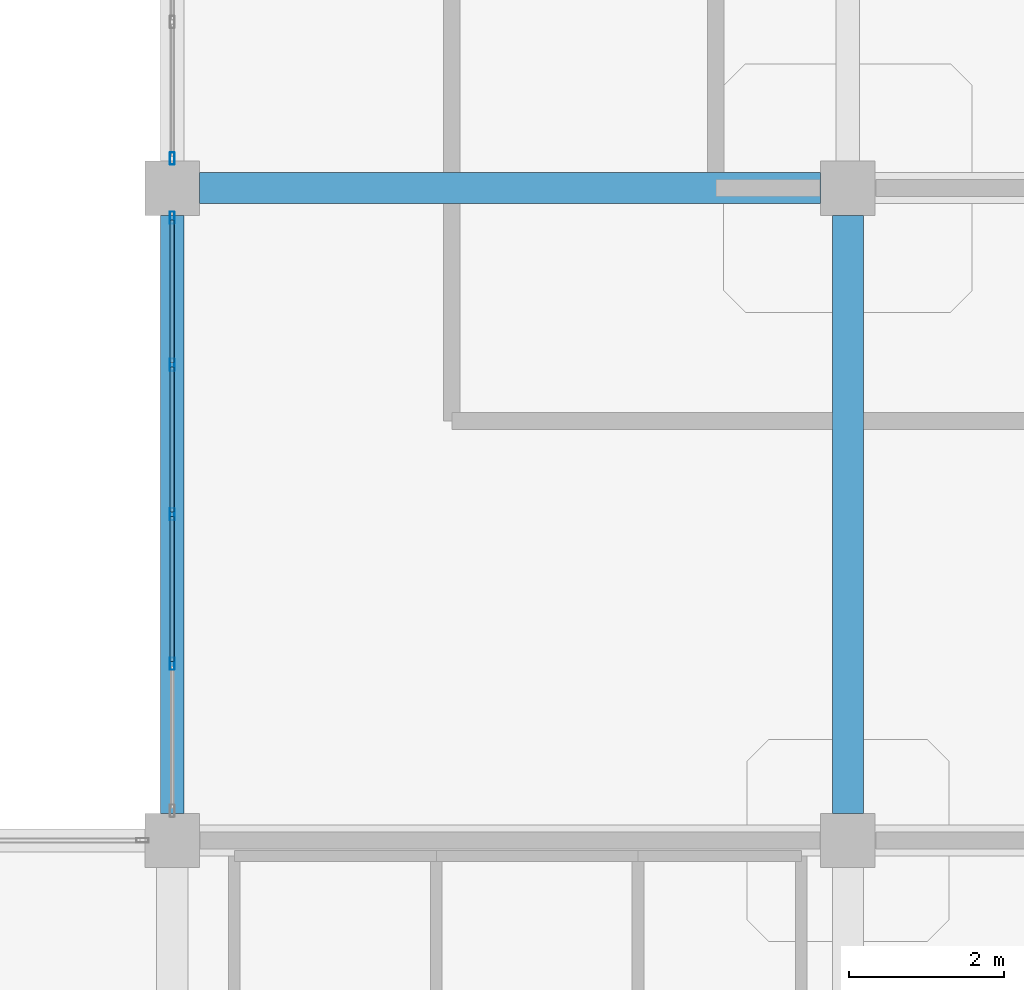
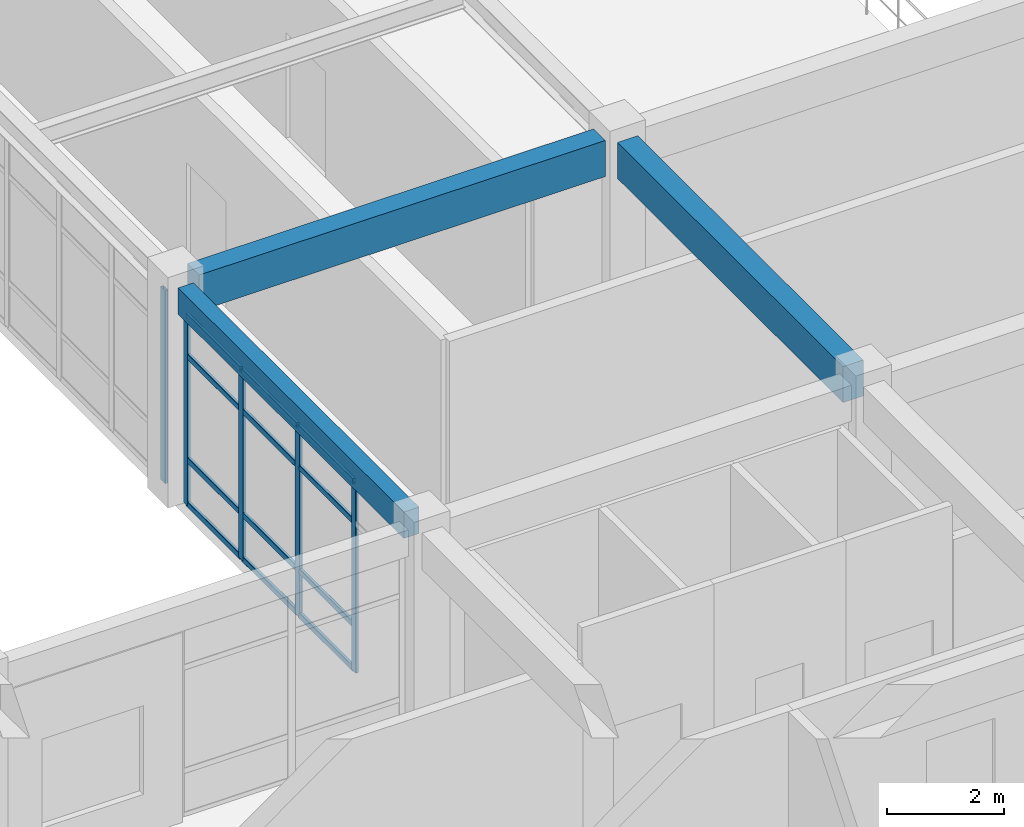
# One storey, part 13 of 76: 17 members, 3 beams, 2 elements without a shape of their own.
"""IFC4 building model written with IfcOpenShell, lengths in metres."""

from ifc_helpers import new_model, si_unit, derived_unit, direction, frame, origin, origin_2d, place, context, subcontext, project, spatial, rectangle, hollow_rectangle, extrude, material, layer, layer_set, material_profile, profile_set, type_object, element, aggregate, save


model = new_model("IFC4")

# Units and contexts
model_context = context("Model", 3, precision=1e-05, world=origin(), true_north=direction((0.0, 1.0)))
body_context = subcontext(model_context, "Body", "Model", "MODEL_VIEW")
ifc_project = project(units=[si_unit("LENGTHUNIT", "METRE"), si_unit("AREAUNIT", "SQUARE_METRE"), si_unit("VOLUMEUNIT", "CUBIC_METRE"), si_unit("PLANEANGLEUNIT", "RADIAN"), si_unit("MASSUNIT", "GRAM", prefix="KILO"), derived_unit("THERMALTRANSMITTANCEUNIT", [(si_unit("MASSUNIT", "GRAM", prefix="KILO"), 1), (si_unit("TIMEUNIT", "SECOND"), -3), (si_unit("THERMODYNAMICTEMPERATUREUNIT", "KELVIN"), -1)])], contexts=[model_context])

# Site, building, storey
site_placement = place(None, origin())
site = spatial("IfcSite", under=ifc_project, at=site_placement, CompositionType="ELEMENT")
building_placement = place(site_placement, origin())
building = spatial("IfcBuilding", under=site, at=building_placement, Name="Qinzheling Arcade Emporium", CompositionType="ELEMENT")
storey_placement = place(building_placement, frame((0.0, 0.0, 26.699951171875)))
storey = spatial("IfcBuildingStorey", under=building, at=storey_placement, Name="L06", CompositionType="ELEMENT", Elevation=26.699951171875)

# Curtain wall, members
ifc_material_1 = material(Name="Anodised aluminium and solar-control double glazing", Category="aluminium")
ifc_layer = layer(ifc_material_1, 0.159912109375, Name="Anodised aluminium and solar-control double glazing", Category="aluminium")
ifc_layer_set = layer_set([ifc_layer], Name="Anodised aluminium and solar-control double glazing")
curtain_wall_type = type_object("IfcCurtainWallType", Name="Atrium Clerestory Curtain Wall", PredefinedType="NOTDEFINED", material=ifc_layer_set)
curtain_wall_1_placement = place(storey_placement, origin())
curtain_wall_1 = element("IfcCurtainWall", 1, at=curtain_wall_1_placement, inside=storey, type_object=curtain_wall_type, Name="Curtain Wall CW-L06-363", PredefinedType="NOTDEFINED")
ifc_material_2 = material(Name="Anodised aluminium 6063-T6", Category="aluminium")
ifc_material_profile_1 = material_profile(ifc_material_2, hollow_rectangle(XDim=0.06005859375, YDim=0.159912109375, WallThickness=0.00390625, InnerFilletRadius=0.00390625, OuterFilletRadius=0.008056640625, at=origin_2d()), Name="RHS 160x60x4", Category="aluminium")
ifc_profile_set_1 = profile_set([ifc_material_profile_1], Name="Anodised aluminium 6063-T6")
member_type_1 = type_object("IfcMemberType", Name="Curtain Wall Mullion RHS160x60", PredefinedType="MULLION", material=ifc_profile_set_1)
member_1_placement = place(storey_placement, frame((34.800048828125, 44.27587890625, 0.0), z_axis=(0.0, 0.0, 1.0), x_axis=(-1.0, 0.0, 0.0)))
member_1 = element("IfcMember", 2, at=member_1_placement, type_object=member_type_1, Name="CW03 mullion 2", PredefinedType="MULLION", context=body_context, shape_type="SweptSolid", body=[
    extrude(hollow_rectangle(XDim=0.06005859375, YDim=0.159912109375, WallThickness=0.00390625, InnerFilletRadius=0.00390625, OuterFilletRadius=0.008056640625, at=origin_2d()), origin(), (0.0, 0.0, 1.0), 3.955078125),
])
member_2_placement = place(storey_placement, frame((34.800048828125, 46.199951171875, 0.0), z_axis=(0.0, 0.0, 1.0), x_axis=(-1.0, 0.0, 0.0)))
member_2 = element("IfcMember", 3, at=member_2_placement, type_object=member_type_1, Name="CW03 mullion 3", PredefinedType="MULLION", context=body_context, shape_type="SweptSolid", body=[
    extrude(hollow_rectangle(XDim=0.06005859375, YDim=0.159912109375, WallThickness=0.00390625, InnerFilletRadius=0.00390625, OuterFilletRadius=0.008056640625, at=origin_2d()), origin(), (0.0, 0.0, 1.0), 3.955078125),
])
member_3_placement = place(storey_placement, frame((34.800048828125, 48.1240234375, 0.0), z_axis=(0.0, 0.0, 1.0), x_axis=(-1.0, 0.0, 0.0)))
member_3 = element("IfcMember", 4, at=member_3_placement, type_object=member_type_1, Name="CW03 mullion 4", PredefinedType="MULLION", context=body_context, shape_type="SweptSolid", body=[
    extrude(hollow_rectangle(XDim=0.06005859375, YDim=0.159912109375, WallThickness=0.00390625, InnerFilletRadius=0.00390625, OuterFilletRadius=0.008056640625, at=origin_2d()), origin(), (0.0, 0.0, 1.0), 3.955078125),
])
member_4_placement = place(storey_placement, frame((34.800048828125, 50.01806640625, 0.0), z_axis=(0.0, 0.0, 1.0), x_axis=(-1.0, 0.0, 0.0)))
member_4 = element("IfcMember", 5, at=member_4_placement, type_object=member_type_1, Name="CW03 mullion 5", PredefinedType="MULLION", context=body_context, shape_type="SweptSolid", body=[
    extrude(hollow_rectangle(XDim=0.06005859375, YDim=0.159912109375, WallThickness=0.00390625, InnerFilletRadius=0.00390625, OuterFilletRadius=0.008056640625, at=origin_2d()), origin(), (0.0, 0.0, 1.0), 3.955078125),
])

# Curtain wall, member
curtain_wall_2_placement = place(storey_placement, origin())
curtain_wall_2 = element("IfcCurtainWall", 6, at=curtain_wall_2_placement, inside=storey, type_object=curtain_wall_type, Name="Curtain Wall CW-L06-364", PredefinedType="NOTDEFINED")
member_5_placement = place(storey_placement, frame((34.800048828125, 50.781982421875, 0.0), z_axis=(0.0, 0.0, 1.0), x_axis=(-1.0, 0.0, 0.0)))
member_5 = element("IfcMember", 7, at=member_5_placement, type_object=member_type_1, Name="CW03 mullion 1", PredefinedType="MULLION", context=body_context, shape_type="SweptSolid", body=[
    extrude(hollow_rectangle(XDim=0.06005859375, YDim=0.159912109375, WallThickness=0.00390625, InnerFilletRadius=0.00390625, OuterFilletRadius=0.008056640625, at=origin_2d()), origin(), (0.0, 0.0, 1.0), 4.01708984375),
])
aggregate(curtain_wall_2, [member_5])

# Member
ifc_material_profile_2 = material_profile(ifc_material_2, hollow_rectangle(XDim=0.06005859375, YDim=0.1201171875, WallThickness=0.00390625, InnerFilletRadius=0.00390625, OuterFilletRadius=0.008056640625, at=origin_2d()), Name="RHS 120x60x4", Category="aluminium")
ifc_profile_set_2 = profile_set([ifc_material_profile_2], Name="Anodised aluminium 6063-T6")
member_type_2 = type_object("IfcMemberType", Name="Curtain Wall Transom RHS120x60", PredefinedType="USERDEFINED", material=ifc_profile_set_2)
member_6_placement = place(storey_placement, frame((34.800048828125, 44.305908203125, 0.030029296875), z_axis=(0.0, 1.0, 0.0), x_axis=(-1.0, 0.0, 0.0)))
member_6 = element("IfcMember", 8, at=member_6_placement, type_object=member_type_2, Name="CW03 transom 2.1", ObjectType="TRANSOM", PredefinedType="USERDEFINED", context=body_context, shape_type="SweptSolid", body=[
    extrude(hollow_rectangle(XDim=0.06005859375, YDim=0.1201171875, WallThickness=0.00390625, InnerFilletRadius=0.00390625, OuterFilletRadius=0.008056640625, at=origin_2d()), origin(), (0.0, 0.0, 1.0), 1.864013671875),
])

member_7_placement = place(storey_placement, frame((34.800048828125, 44.305908203125, 0.949951171875), z_axis=(0.0, 1.0, 0.0), x_axis=(-1.0, 0.0, 0.0)))
member_7 = element("IfcMember", 9, at=member_7_placement, type_object=member_type_2, Name="CW03 transom 2.2", ObjectType="TRANSOM", PredefinedType="USERDEFINED", context=body_context, shape_type="SweptSolid", body=[
    extrude(hollow_rectangle(XDim=0.06005859375, YDim=0.1201171875, WallThickness=0.00390625, InnerFilletRadius=0.00390625, OuterFilletRadius=0.008056640625, at=origin_2d()), origin(), (0.0, 0.0, 1.0), 1.864013671875),
])

member_8_placement = place(storey_placement, frame((34.800048828125, 44.305908203125, 3.10498046875), z_axis=(0.0, 1.0, 0.0), x_axis=(-1.0, 0.0, 0.0)))
member_8 = element("IfcMember", 10, at=member_8_placement, type_object=member_type_2, Name="CW03 transom 2.3", ObjectType="TRANSOM", PredefinedType="USERDEFINED", context=body_context, shape_type="SweptSolid", body=[
    extrude(hollow_rectangle(XDim=0.06005859375, YDim=0.1201171875, WallThickness=0.00390625, InnerFilletRadius=0.00390625, OuterFilletRadius=0.008056640625, at=origin_2d()), origin(), (0.0, 0.0, 1.0), 1.864013671875),
])

member_9_placement = place(storey_placement, frame((34.800048828125, 44.305908203125, 3.925048828125), z_axis=(0.0, 1.0, 0.0), x_axis=(-1.0, 0.0, 0.0)))
member_9 = element("IfcMember", 11, at=member_9_placement, type_object=member_type_2, Name="CW03 transom 2.4", ObjectType="TRANSOM", PredefinedType="USERDEFINED", context=body_context, shape_type="SweptSolid", body=[
    extrude(hollow_rectangle(XDim=0.06005859375, YDim=0.1201171875, WallThickness=0.00390625, InnerFilletRadius=0.00390625, OuterFilletRadius=0.008056640625, at=origin_2d()), origin(), (0.0, 0.0, 1.0), 1.864013671875),
])

member_10_placement = place(storey_placement, frame((34.800048828125, 46.22998046875, 0.030029296875), z_axis=(0.0, 1.0, 0.0), x_axis=(-1.0, 0.0, 0.0)))
member_10 = element("IfcMember", 12, at=member_10_placement, type_object=member_type_2, Name="CW03 transom 3.1", ObjectType="TRANSOM", PredefinedType="USERDEFINED", context=body_context, shape_type="SweptSolid", body=[
    extrude(hollow_rectangle(XDim=0.06005859375, YDim=0.1201171875, WallThickness=0.00390625, InnerFilletRadius=0.00390625, OuterFilletRadius=0.008056640625, at=origin_2d()), origin(), (0.0, 0.0, 1.0), 1.864013671875),
])

member_11_placement = place(storey_placement, frame((34.800048828125, 46.22998046875, 0.949951171875), z_axis=(0.0, 1.0, 0.0), x_axis=(-1.0, 0.0, 0.0)))
member_11 = element("IfcMember", 13, at=member_11_placement, type_object=member_type_2, Name="CW03 transom 3.2", ObjectType="TRANSOM", PredefinedType="USERDEFINED", context=body_context, shape_type="SweptSolid", body=[
    extrude(hollow_rectangle(XDim=0.06005859375, YDim=0.1201171875, WallThickness=0.00390625, InnerFilletRadius=0.00390625, OuterFilletRadius=0.008056640625, at=origin_2d()), origin(), (0.0, 0.0, 1.0), 1.864013671875),
])

member_12_placement = place(storey_placement, frame((34.800048828125, 46.22998046875, 3.10498046875), z_axis=(0.0, 1.0, 0.0), x_axis=(-1.0, 0.0, 0.0)))
member_12 = element("IfcMember", 14, at=member_12_placement, type_object=member_type_2, Name="CW03 transom 3.3", ObjectType="TRANSOM", PredefinedType="USERDEFINED", context=body_context, shape_type="SweptSolid", body=[
    extrude(hollow_rectangle(XDim=0.06005859375, YDim=0.1201171875, WallThickness=0.00390625, InnerFilletRadius=0.00390625, OuterFilletRadius=0.008056640625, at=origin_2d()), origin(), (0.0, 0.0, 1.0), 1.864013671875),
])

member_13_placement = place(storey_placement, frame((34.800048828125, 46.22998046875, 3.925048828125), z_axis=(0.0, 1.0, 0.0), x_axis=(-1.0, 0.0, 0.0)))
member_13 = element("IfcMember", 15, at=member_13_placement, type_object=member_type_2, Name="CW03 transom 3.4", ObjectType="TRANSOM", PredefinedType="USERDEFINED", context=body_context, shape_type="SweptSolid", body=[
    extrude(hollow_rectangle(XDim=0.06005859375, YDim=0.1201171875, WallThickness=0.00390625, InnerFilletRadius=0.00390625, OuterFilletRadius=0.008056640625, at=origin_2d()), origin(), (0.0, 0.0, 1.0), 1.864013671875),
])

member_14_placement = place(storey_placement, frame((34.800048828125, 48.154052734375, 0.030029296875), z_axis=(0.0, 1.0, 0.0), x_axis=(-1.0, 0.0, 0.0)))
member_14 = element("IfcMember", 16, at=member_14_placement, type_object=member_type_2, Name="CW03 transom 4.1", ObjectType="TRANSOM", PredefinedType="USERDEFINED", context=body_context, shape_type="SweptSolid", body=[
    extrude(hollow_rectangle(XDim=0.06005859375, YDim=0.1201171875, WallThickness=0.00390625, InnerFilletRadius=0.00390625, OuterFilletRadius=0.008056640625, at=origin_2d()), origin(), (0.0, 0.0, 1.0), 1.833984375),
])

member_15_placement = place(storey_placement, frame((34.800048828125, 48.154052734375, 0.949951171875), z_axis=(0.0, 1.0, 0.0), x_axis=(-1.0, 0.0, 0.0)))
member_15 = element("IfcMember", 17, at=member_15_placement, type_object=member_type_2, Name="CW03 transom 4.2", ObjectType="TRANSOM", PredefinedType="USERDEFINED", context=body_context, shape_type="SweptSolid", body=[
    extrude(hollow_rectangle(XDim=0.06005859375, YDim=0.1201171875, WallThickness=0.00390625, InnerFilletRadius=0.00390625, OuterFilletRadius=0.008056640625, at=origin_2d()), origin(), (0.0, 0.0, 1.0), 1.833984375),
])

member_16_placement = place(storey_placement, frame((34.800048828125, 48.154052734375, 3.10498046875), z_axis=(0.0, 1.0, 0.0), x_axis=(-1.0, 0.0, 0.0)))
member_16 = element("IfcMember", 18, at=member_16_placement, type_object=member_type_2, Name="CW03 transom 4.3", ObjectType="TRANSOM", PredefinedType="USERDEFINED", context=body_context, shape_type="SweptSolid", body=[
    extrude(hollow_rectangle(XDim=0.06005859375, YDim=0.1201171875, WallThickness=0.00390625, InnerFilletRadius=0.00390625, OuterFilletRadius=0.008056640625, at=origin_2d()), origin(), (0.0, 0.0, 1.0), 1.833984375),
])

member_17_placement = place(storey_placement, frame((34.800048828125, 48.154052734375, 3.925048828125), z_axis=(0.0, 1.0, 0.0), x_axis=(-1.0, 0.0, 0.0)))
member_17 = element("IfcMember", 19, at=member_17_placement, type_object=member_type_2, Name="CW03 transom 4.4", ObjectType="TRANSOM", PredefinedType="USERDEFINED", context=body_context, shape_type="SweptSolid", body=[
    extrude(hollow_rectangle(XDim=0.06005859375, YDim=0.1201171875, WallThickness=0.00390625, InnerFilletRadius=0.00390625, OuterFilletRadius=0.008056640625, at=origin_2d()), origin(), (0.0, 0.0, 1.0), 1.833984375),
])

aggregate(curtain_wall_1, [member_1, member_2, member_3, member_4, member_6, member_7, member_8, member_9, member_10, member_11, member_12, member_13, member_14, member_15, member_16, member_17])

# Beams
ifc_material_3 = material(Name="Concrete C40", Category="concrete")
ifc_material_profile_3 = material_profile(ifc_material_3, rectangle(XDim=0.39990234375, YDim=0.75, at=origin_2d()), Name="RC 400x750", Category="concrete")
ifc_profile_set_3 = profile_set([ifc_material_profile_3], Name="Concrete C40")
beam_type_1 = type_object("IfcBeamType", Name="RC Interior Tie Beam 400x750 C40", PredefinedType="BEAM", material=ifc_profile_set_3)
beam_1_placement = place(storey_placement, frame((35.14990234375, 50.39990234375, 4.14501953125), z_axis=(1.0, 0.0, 0.0), x_axis=(0.0, 1.0, 0.0)))
element("IfcBeam", 20, at=beam_1_placement, inside=storey, type_object=beam_type_1, Name="Beam BM-L06-X-G-5", PredefinedType="BEAM", context=body_context, shape_type="SweptSolid", body=[
    extrude(rectangle(XDim=0.39990234375, YDim=0.75, at=origin_2d()), origin(), (0.0, 0.0, 1.0), 8.0),
])
beam_2_placement = place(storey_placement, frame((43.5, 42.35009765625, 4.14501953125), z_axis=(0.0, 1.0, 0.0), x_axis=(-1.0, 0.0, 0.0)))
element("IfcBeam", 21, at=beam_2_placement, inside=storey, type_object=beam_type_1, Name="Beam BM-L06-Y-6-F", PredefinedType="BEAM", context=body_context, shape_type="SweptSolid", body=[
    extrude(rectangle(XDim=0.39990234375, YDim=0.75, at=origin_2d()), origin(), (0.0, 0.0, 1.0), 7.699951171875),
])
ifc_material_profile_4 = material_profile(ifc_material_3, rectangle(XDim=0.300048828125, YDim=0.550048828125, at=origin_2d()), Name="RC 300x550", Category="concrete")
ifc_profile_set_4 = profile_set([ifc_material_profile_4], Name="Concrete C40")
beam_type_2 = type_object("IfcBeamType", Name="RC Terrace Spandrel Beam 300x550 C40", PredefinedType="SPANDREL", material=ifc_profile_set_4)
beam_3_placement = place(storey_placement, frame((34.800048828125, 42.35009765625, 4.2451171875), z_axis=(0.0, 1.0, 0.0), x_axis=(-1.0, 0.0, 0.0)))
element("IfcBeam", 22, at=beam_3_placement, inside=storey, type_object=beam_type_2, Name="Beam BM-L06-Y-5-F", PredefinedType="SPANDREL", context=body_context, shape_type="SweptSolid", body=[
    extrude(rectangle(XDim=0.300048828125, YDim=0.550048828125, at=origin_2d()), origin(), (0.0, 0.0, 1.0), 7.699951171875),
])

save(model, "model.ifc")
